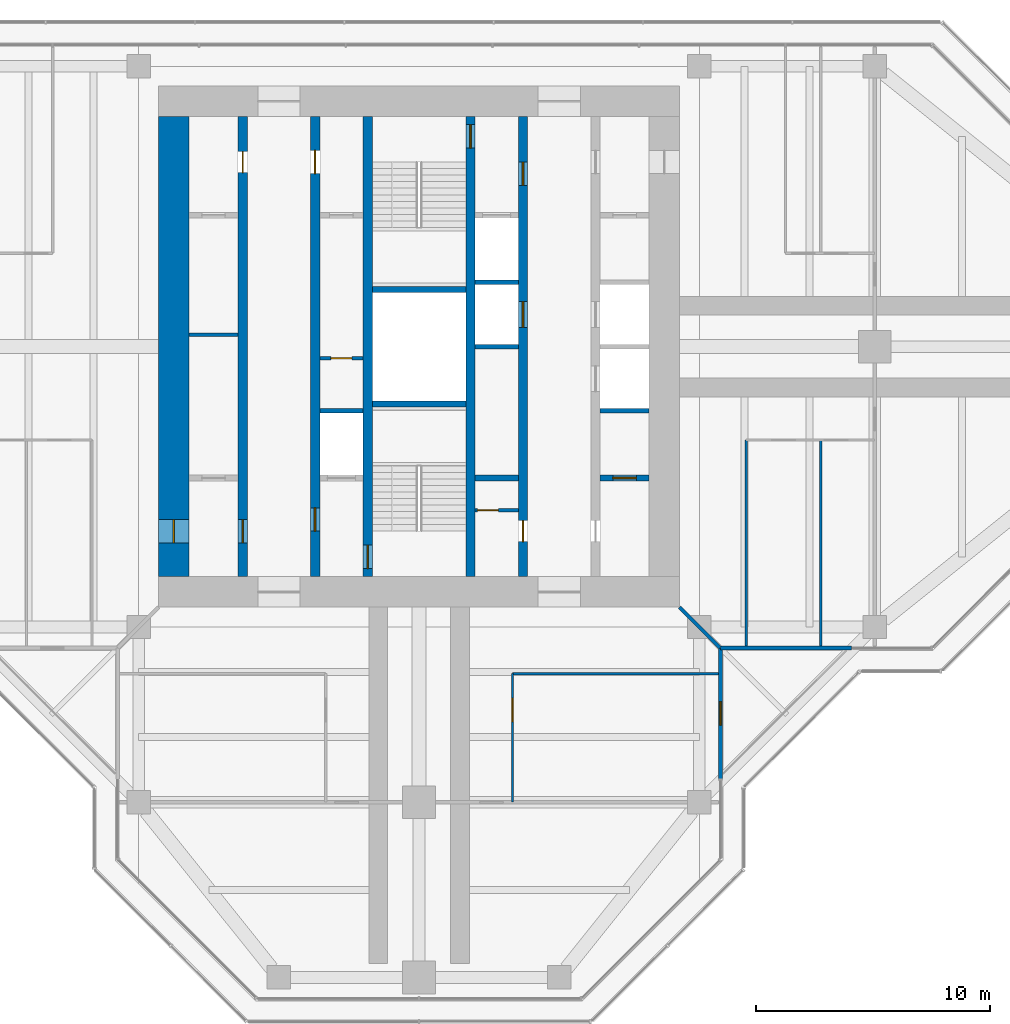
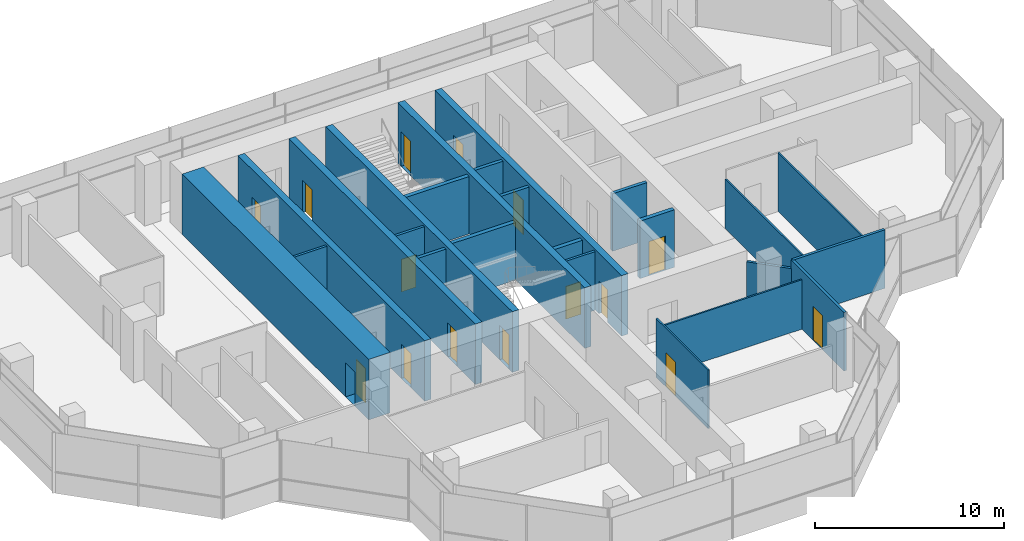
# One storey, part 12 of 16: 24 walls, 15 doors, 15 openings.
"""IFC4 building model written with IfcOpenShell, lengths in metres."""

from ifc_helpers import new_model, si_unit, direction, frame, frame_2d, origin, place, context, subcontext, project, spatial, rectangle, extrude, material, layer, layer_set, type_object, element, fill, save


model = new_model("IFC4")

# Units and contexts
model_context = context("Model", 3, precision=1e-05, world=origin(), true_north=direction((0.0, 1.0)))
body_context = subcontext(model_context, "Body", "Model", "MODEL_VIEW")
ifc_project = project(units=[si_unit("LENGTHUNIT", "METRE"), si_unit("AREAUNIT", "SQUARE_METRE"), si_unit("VOLUMEUNIT", "CUBIC_METRE"), si_unit("PLANEANGLEUNIT", "RADIAN"), si_unit("MASSUNIT", "GRAM", prefix="KILO")], contexts=[model_context])

# Site, building, storey
site_placement = place(None, origin())
site = spatial("IfcSite", under=ifc_project, at=site_placement, CompositionType="ELEMENT")
building_placement = place(site_placement, origin())
building = spatial("IfcBuilding", under=site, at=building_placement, Name="Mizan Broadcast Tower", CompositionType="ELEMENT")
storey_placement = place(building_placement, frame((0.0, 0.0, 294.60009765625)))
storey = spatial("IfcBuildingStorey", under=building, at=storey_placement, Name="L70", CompositionType="ELEMENT", Elevation=294.60009765625)

# Wall, openings, doors
ifc_material_1 = material(Name="Concrete C70/85", Category="concrete")
ifc_layer_1 = layer(ifc_material_1, 0.39990234375)
ifc_layer_set_1 = layer_set([ifc_layer_1], Name="Concrete C70/85")
wall_type_1 = type_object("IfcWallType", Name="CORE INTERNAL WALL 400", PredefinedType="SHEAR", material=ifc_layer_set_1)
wall_1_placement = place(storey_placement, frame((-7.550048828125, -9.85009765625, 0.0), z_axis=(0.0, 0.0, 1.0), x_axis=(0.0, 1.0, 0.0)))
wall_1 = element("IfcWall", 1, at=wall_1_placement, inside=storey, type_object=wall_type_1, Name="Core wall CORE/XW1", PredefinedType="SHEAR", context=body_context, shape_type="SweptSolid", body=[
    extrude(rectangle(XDim=19.7001953125, YDim=0.39990234375, at=frame_2d((9.85009765625, 0.0))), origin(), (0.0, 0.0, 1.0), 3.89990234375),
])
opening_1_placement = place(wall_1_placement, frame((1.449951171875, 0.0, 0.0)))
opening_1 = element("IfcOpeningElement", 2, at=opening_1_placement, cuts=wall_1, Name="Opening D10F", PredefinedType="OPENING", context=body_context, shape_type="SweptSolid", body=[
    extrude(rectangle(XDim=1.0, YDim=2.199951171875, at=frame_2d((0.5, 1.10009765625))), frame((0.0, 0.2099609375, 0.0), z_axis=(0.0, -1.0, 0.0), x_axis=(1.0, 0.0, 0.0)), (0.0, 0.0, 1.0), 0.419921875),
])
opening_2_placement = place(wall_1_placement, frame((17.300048828125, 0.0, 0.0)))
opening_2 = element("IfcOpeningElement", 3, at=opening_2_placement, cuts=wall_1, Name="Opening D09", PredefinedType="OPENING", context=body_context, shape_type="SweptSolid", body=[
    extrude(rectangle(XDim=0.89990234375, YDim=2.10009765625, at=frame_2d((0.449951171875, 1.050048828125))), frame((0.0, 0.2099609375, 0.0), z_axis=(0.0, -1.0, 0.0), x_axis=(1.0, 0.0, 0.0)), (0.0, 0.0, 1.0), 0.419921875),
])
ifc_material_2 = material(Name="Steel door leaf in steel frame", Category="steel")
door_type_1 = type_object("IfcDoorType", Name="FIRE DOOR 1000 FD90", OperationType="SINGLE_SWING_LEFT", PredefinedType="DOOR", material=ifc_material_2)
door_1_placement = place(opening_1_placement, origin())
door_1 = element("IfcDoor", 4, at=door_1_placement, inside=storey, type_object=door_type_1, Name="West core passage door", OperationType="SINGLE_SWING_LEFT", OverallHeight=2.199951171875, OverallWidth=1.0, PredefinedType="DOOR", context=body_context, shape_type="SweptSolid", body=[
    extrude(rectangle(XDim=1.0, YDim=2.199951171875, at=frame_2d((0.5, 1.10009765625))), frame((0.0, 0.02490234375, 0.0), z_axis=(0.0, -1.0, 0.0), x_axis=(1.0, 0.0, 0.0)), (0.0, 0.0, 1.0), 0.050048828125),
])
fill(opening_1, door_1)
ifc_material_3 = material(Name="Timber door leaf in aluminium frame", Category="wood")
door_type_2 = type_object("IfcDoorType", Name="TOILET DOOR 900", OperationType="SINGLE_SWING_LEFT", PredefinedType="DOOR", material=ifc_material_3)
door_2_placement = place(opening_2_placement, origin())
door_2 = element("IfcDoor", 5, at=door_2_placement, inside=storey, type_object=door_type_2, Name="Male WC door", OperationType="SINGLE_SWING_RIGHT", OverallHeight=2.10009765625, OverallWidth=0.89990234375, PredefinedType="DOOR", context=body_context, shape_type="SweptSolid", body=[
    extrude(rectangle(XDim=0.89990234375, YDim=2.10009765625, at=frame_2d((0.449951171875, 1.050048828125))), frame((0.0, 0.02490234375, 0.0), z_axis=(0.0, -1.0, 0.0), x_axis=(1.0, 0.0, 0.0)), (0.0, 0.0, 1.0), 0.050048828125),
])
fill(opening_2, door_2)

wall_2_placement = place(storey_placement, frame((-4.449951171875, -9.85009765625, 0.0), z_axis=(0.0, 0.0, 1.0), x_axis=(0.0, 1.0, 0.0)))
wall_2 = element("IfcWall", 6, at=wall_2_placement, inside=storey, type_object=wall_type_1, Name="Core wall CORE/XWH", PredefinedType="SHEAR", context=body_context, shape_type="SweptSolid", body=[
    extrude(rectangle(XDim=19.7001953125, YDim=0.39990234375, at=frame_2d((9.85009765625, 0.0))), origin(), (0.0, 0.0, 1.0), 3.89990234375),
])
opening_3_placement = place(wall_2_placement, frame((1.949951171875, 0.0, 0.0)))
opening_3 = element("IfcOpeningElement", 7, at=opening_3_placement, cuts=wall_2, Name="Opening D10F", PredefinedType="OPENING", context=body_context, shape_type="SweptSolid", body=[
    extrude(rectangle(XDim=1.0, YDim=2.199951171875, at=frame_2d((0.5, 1.10009765625))), frame((0.0, 0.2099609375, 0.0), z_axis=(0.0, -1.0, 0.0), x_axis=(1.0, 0.0, 0.0)), (0.0, 0.0, 1.0), 0.419921875),
])
opening_4_placement = place(wall_2_placement, frame((17.25, 0.0, 0.0)))
opening_4 = element("IfcOpeningElement", 8, at=opening_4_placement, cuts=wall_2, Name="Opening D10A", PredefinedType="OPENING", context=body_context, shape_type="SweptSolid", body=[
    extrude(rectangle(XDim=1.0, YDim=2.10009765625, at=frame_2d((0.5, 1.050048828125))), frame((0.0, 0.2099609375, 0.0), z_axis=(0.0, -1.0, 0.0), x_axis=(1.0, 0.0, 0.0)), (0.0, 0.0, 1.0), 0.419921875),
])
ifc_material_4 = material(Name="Timber door leaf in aluminium frame", Category="wood")
door_type_3 = type_object("IfcDoorType", Name="ACCESSIBLE WC DOOR 1000", OperationType="SLIDING_TO_LEFT", PredefinedType="DOOR", material=ifc_material_4)
door_3_placement = place(opening_4_placement, origin())
door_3 = element("IfcDoor", 9, at=door_3_placement, inside=storey, type_object=door_type_3, Name="Accessible WC door", OperationType="SLIDING_TO_LEFT", OverallHeight=2.10009765625, OverallWidth=1.0, PredefinedType="DOOR", context=body_context, shape_type="SweptSolid", body=[
    extrude(rectangle(XDim=1.0, YDim=2.10009765625, at=frame_2d((0.5, 1.050048828125))), frame((0.0, 0.02490234375, 0.0), z_axis=(0.0, -1.0, 0.0), x_axis=(1.0, 0.0, 0.0)), (0.0, 0.0, 1.0), 0.050048828125),
])
fill(opening_4, door_3)
door_4_placement = place(opening_3_placement, origin())
door_4 = element("IfcDoor", 10, at=door_4_placement, inside=storey, type_object=door_type_1, Name="Firefighting lobby A door", OperationType="SINGLE_SWING_LEFT", OverallHeight=2.199951171875, OverallWidth=1.0, PredefinedType="DOOR", context=body_context, shape_type="SweptSolid", body=[
    extrude(rectangle(XDim=1.0, YDim=2.199951171875, at=frame_2d((0.5, 1.10009765625))), frame((0.0, 0.02490234375, 0.0), z_axis=(0.0, -1.0, 0.0), x_axis=(1.0, 0.0, 0.0)), (0.0, 0.0, 1.0), 0.050048828125),
])
fill(opening_3, door_4)

wall_3_placement = place(storey_placement, frame((4.449951171875, 9.85009765625, 0.0), z_axis=(0.0, 0.0, 1.0), x_axis=(0.0, -1.0, 0.0)))
wall_3 = element("IfcWall", 11, at=wall_3_placement, inside=storey, type_object=wall_type_1, Name="Core wall CORE/XWHE", PredefinedType="SHEAR", context=body_context, shape_type="SweptSolid", body=[
    extrude(rectangle(XDim=19.7001953125, YDim=0.39990234375, at=frame_2d((9.85009765625, 0.0))), origin(), (0.0, 0.0, 1.0), 3.89990234375),
])
opening_5_placement = place(wall_3_placement, frame((1.949951171875, 0.0, 0.0)))
opening_5 = element("IfcOpeningElement", 12, at=opening_5_placement, cuts=wall_3, Name="Opening D10F", PredefinedType="OPENING", context=body_context, shape_type="SweptSolid", body=[
    extrude(rectangle(XDim=1.0, YDim=2.199951171875, at=frame_2d((0.5, 1.10009765625))), frame((0.0, 0.2099609375, 0.0), z_axis=(0.0, -1.0, 0.0), x_axis=(1.0, 0.0, 0.0)), (0.0, 0.0, 1.0), 0.419921875),
])
opening_6_placement = place(wall_3_placement, frame((17.300048828125, 0.0, 0.0)))
opening_6 = element("IfcOpeningElement", 13, at=opening_6_placement, cuts=wall_3, Name="Opening D09", PredefinedType="OPENING", context=body_context, shape_type="SweptSolid", body=[
    extrude(rectangle(XDim=0.89990234375, YDim=2.10009765625, at=frame_2d((0.449951171875, 1.050048828125))), frame((0.0, 0.2099609375, 0.0), z_axis=(0.0, -1.0, 0.0), x_axis=(1.0, 0.0, 0.0)), (0.0, 0.0, 1.0), 0.419921875),
])
opening_7_placement = place(wall_3_placement, frame((7.925048828125, 0.0, 0.0)))
opening_7 = element("IfcOpeningElement", 14, at=opening_7_placement, cuts=wall_3, Name="Opening LD", PredefinedType="OPENING", context=body_context, shape_type="SweptSolid", body=[
    extrude(rectangle(XDim=1.10009765625, YDim=2.199951171875, at=frame_2d((0.550048828125, 1.10009765625))), frame((0.0, 0.2099609375, 0.0), z_axis=(0.0, -1.0, 0.0), x_axis=(1.0, 0.0, 0.0)), (0.0, 0.0, 1.0), 0.419921875),
])
door_5_placement = place(opening_5_placement, origin())
door_5 = element("IfcDoor", 15, at=door_5_placement, inside=storey, type_object=door_type_1, Name="Firefighting lobby B door", OperationType="SINGLE_SWING_LEFT", OverallHeight=2.199951171875, OverallWidth=1.0, PredefinedType="DOOR", context=body_context, shape_type="SweptSolid", body=[
    extrude(rectangle(XDim=1.0, YDim=2.199951171875, at=frame_2d((0.5, 1.10009765625))), frame((0.0, 0.02490234375, 0.0), z_axis=(0.0, -1.0, 0.0), x_axis=(1.0, 0.0, 0.0)), (0.0, 0.0, 1.0), 0.050048828125),
])
fill(opening_5, door_5)
ifc_material_5 = material(Name="Steel door leaf in steel frame", Category="steel")
door_type_4 = type_object("IfcDoorType", Name="LIFT LANDING DOOR 1100", OperationType="SLIDING_TO_LEFT", PredefinedType="DOOR", material=ifc_material_5)
door_6_placement = place(opening_7_placement, origin())
door_6 = element("IfcDoor", 16, at=door_6_placement, inside=storey, type_object=door_type_4, Name="Landing door LD3", OperationType="SLIDING_TO_LEFT", OverallHeight=2.199951171875, OverallWidth=1.10009765625, PredefinedType="DOOR", context=body_context, shape_type="SweptSolid", body=[
    extrude(rectangle(XDim=1.10009765625, YDim=2.199951171875, at=frame_2d((0.550048828125, 1.10009765625))), frame((0.0, 0.02490234375, 0.0), z_axis=(0.0, -1.0, 0.0), x_axis=(1.0, 0.0, 0.0)), (0.0, 0.0, 1.0), 0.050048828125),
])
fill(opening_7, door_6)
door_7_placement = place(opening_6_placement, origin())
door_7 = element("IfcDoor", 17, at=door_7_placement, inside=storey, type_object=door_type_2, Name="Cleaner's store door", OperationType="SINGLE_SWING_RIGHT", OverallHeight=2.10009765625, OverallWidth=0.89990234375, PredefinedType="DOOR", context=body_context, shape_type="SweptSolid", body=[
    extrude(rectangle(XDim=0.89990234375, YDim=2.10009765625, at=frame_2d((0.449951171875, 1.050048828125))), frame((0.0, 0.02490234375, 0.0), z_axis=(0.0, -1.0, 0.0), x_axis=(1.0, 0.0, 0.0)), (0.0, 0.0, 1.0), 0.050048828125),
])
fill(opening_6, door_7)

# Wall, opening, door
wall_4_placement = place(storey_placement, frame((-2.199951171875, -9.85009765625, 0.0), z_axis=(0.0, 0.0, 1.0), x_axis=(0.0, 1.0, 0.0)))
wall_4 = element("IfcWall", 18, at=wall_4_placement, inside=storey, type_object=wall_type_1, Name="Core wall CORE/XW2", PredefinedType="SHEAR", context=body_context, shape_type="SweptSolid", body=[
    extrude(rectangle(XDim=19.7001953125, YDim=0.39990234375, at=frame_2d((9.85009765625, 0.0))), origin(), (0.0, 0.0, 1.0), 3.89990234375),
])
opening_8_placement = place(wall_4_placement, frame((0.35009765625, 0.0, 0.0)))
opening_8 = element("IfcOpeningElement", 19, at=opening_8_placement, cuts=wall_4, Name="Opening D10S", PredefinedType="OPENING", context=body_context, shape_type="SweptSolid", body=[
    extrude(rectangle(XDim=1.0, YDim=2.199951171875, at=frame_2d((0.5, 1.10009765625))), frame((0.0, 0.2099609375, 0.0), z_axis=(0.0, -1.0, 0.0), x_axis=(1.0, 0.0, 0.0)), (0.0, 0.0, 1.0), 0.419921875),
])
ifc_material_6 = material(Name="Steel door leaf in steel frame", Category="steel")
door_type_5 = type_object("IfcDoorType", Name="STAIR DOOR 1000 FD90S", OperationType="SINGLE_SWING_RIGHT", PredefinedType="DOOR", material=ifc_material_6)
door_8_placement = place(opening_8_placement, origin())
door_8 = element("IfcDoor", 20, at=door_8_placement, inside=storey, type_object=door_type_5, Name="Stair A door", OperationType="SINGLE_SWING_RIGHT", OverallHeight=2.199951171875, OverallWidth=1.0, PredefinedType="DOOR", context=body_context, shape_type="SweptSolid", body=[
    extrude(rectangle(XDim=1.0, YDim=2.199951171875, at=frame_2d((0.5, 1.10009765625))), frame((0.0, 0.02490234375, 0.0), z_axis=(0.0, -1.0, 0.0), x_axis=(1.0, 0.0, 0.0)), (0.0, 0.0, 1.0), 0.050048828125),
])
fill(opening_8, door_8)

wall_5_placement = place(storey_placement, frame((2.199951171875, 9.85009765625, 0.0), z_axis=(0.0, 0.0, 1.0), x_axis=(0.0, -1.0, 0.0)))
wall_5 = element("IfcWall", 21, at=wall_5_placement, inside=storey, type_object=wall_type_1, Name="Core wall CORE/XW2E", PredefinedType="SHEAR", context=body_context, shape_type="SweptSolid", body=[
    extrude(rectangle(XDim=19.7001953125, YDim=0.39990234375, at=frame_2d((9.85009765625, 0.0))), origin(), (0.0, 0.0, 1.0), 3.89990234375),
])
opening_9_placement = place(wall_5_placement, frame((0.35009765625, 0.0, 0.0)))
opening_9 = element("IfcOpeningElement", 22, at=opening_9_placement, cuts=wall_5, Name="Opening D10S", PredefinedType="OPENING", context=body_context, shape_type="SweptSolid", body=[
    extrude(rectangle(XDim=1.0, YDim=2.199951171875, at=frame_2d((0.5, 1.10009765625))), frame((0.0, 0.2099609375, 0.0), z_axis=(0.0, -1.0, 0.0), x_axis=(1.0, 0.0, 0.0)), (0.0, 0.0, 1.0), 0.419921875),
])
door_9_placement = place(opening_9_placement, origin())
door_9 = element("IfcDoor", 23, at=door_9_placement, inside=storey, type_object=door_type_5, Name="Stair B door", OperationType="SINGLE_SWING_RIGHT", OverallHeight=2.199951171875, OverallWidth=1.0, PredefinedType="DOOR", context=body_context, shape_type="SweptSolid", body=[
    extrude(rectangle(XDim=1.0, YDim=2.199951171875, at=frame_2d((0.5, 1.10009765625))), frame((0.0, 0.02490234375, 0.0), z_axis=(0.0, -1.0, 0.0), x_axis=(1.0, 0.0, 0.0)), (0.0, 0.0, 1.0), 0.050048828125),
])
fill(opening_9, door_9)

# Wall
ifc_material_7 = material(Name="Concrete blockwork", Category="masonry")
ifc_layer_2 = layer(ifc_material_7, 0.14990234375)
ifc_layer_set_2 = layer_set([ifc_layer_2], Name="Concrete blockwork")
wall_type_2 = type_object("IfcWallType", Name="CORE PARTITION 150", PredefinedType="SOLIDWALL", material=ifc_layer_set_2)
wall_6_placement = place(storey_placement, frame((-9.85009765625, 0.5, 0.0), z_axis=(0.0, 0.0, 1.0), x_axis=(1.0, 0.0, 0.0)))
element("IfcWall", 24, at=wall_6_placement, inside=storey, type_object=wall_type_2, Name="Core partition CORE/XP1", PredefinedType="SOLIDWALL", context=body_context, shape_type="SweptSolid", body=[
    extrude(rectangle(XDim=2.10009765625, YDim=0.14990234375, at=frame_2d((1.050048828125, 0.0))), origin(), (0.0, 0.0, 1.0), 3.77001953125),
])

# Wall, opening, door
wall_7_placement = place(storey_placement, frame((-4.25, -0.5, 0.0), z_axis=(0.0, 0.0, 1.0), x_axis=(1.0, 0.0, 0.0)))
wall_7 = element("IfcWall", 25, at=wall_7_placement, inside=storey, type_object=wall_type_2, Name="Core partition CORE/XP2", PredefinedType="SOLIDWALL", context=body_context, shape_type="SweptSolid", body=[
    extrude(rectangle(XDim=1.85009765625, YDim=0.14990234375, at=frame_2d((0.925048828125, 0.0))), origin(), (0.0, 0.0, 1.0), 3.77001953125),
])
opening_10_placement = place(wall_7_placement, frame((0.47509765625, 0.0, 0.0)))
opening_10 = element("IfcOpeningElement", 26, at=opening_10_placement, cuts=wall_7, Name="Opening D09F", PredefinedType="OPENING", context=body_context, shape_type="SweptSolid", body=[
    extrude(rectangle(XDim=0.89990234375, YDim=2.10009765625, at=frame_2d((0.449951171875, 1.050048828125))), frame((0.0, 0.0849609375, 0.0), z_axis=(0.0, -1.0, 0.0), x_axis=(1.0, 0.0, 0.0)), (0.0, 0.0, 1.0), 0.169921875),
])
ifc_material_8 = material(Name="Steel door leaf in steel frame", Category="steel")
door_type_6 = type_object("IfcDoorType", Name="CORE ROOM DOOR 900 FD90", OperationType="SINGLE_SWING_LEFT", PredefinedType="DOOR", material=ifc_material_8)
door_10_placement = place(opening_10_placement, origin())
door_10 = element("IfcDoor", 27, at=door_10_placement, inside=storey, type_object=door_type_6, Name="Staff shower room door", OperationType="SINGLE_SWING_RIGHT", OverallHeight=2.10009765625, OverallWidth=0.89990234375, PredefinedType="DOOR", context=body_context, shape_type="SweptSolid", body=[
    extrude(rectangle(XDim=0.89990234375, YDim=2.10009765625, at=frame_2d((0.449951171875, 1.050048828125))), frame((0.0, 0.02490234375, 0.0), z_axis=(0.0, -1.0, 0.0), x_axis=(1.0, 0.0, 0.0)), (0.0, 0.0, 1.0), 0.050048828125),
])
fill(opening_10, door_10)

wall_8_placement = place(storey_placement, frame((2.39990234375, -7.0, 0.0), z_axis=(0.0, 0.0, 1.0), x_axis=(1.0, 0.0, 0.0)))
wall_8 = element("IfcWall", 28, at=wall_8_placement, inside=storey, type_object=wall_type_2, Name="Core partition CORE/XPC", PredefinedType="SOLIDWALL", context=body_context, shape_type="SweptSolid", body=[
    extrude(rectangle(XDim=1.85009765625, YDim=0.14990234375, at=frame_2d((0.925048828125, 0.0))), origin(), (0.0, 0.0, 1.0), 3.77001953125),
])
opening_11_placement = place(wall_8_placement, frame((0.10009765625, 0.0, 0.0)))
opening_11 = element("IfcOpeningElement", 29, at=opening_11_placement, cuts=wall_8, Name="Opening D09F", PredefinedType="OPENING", context=body_context, shape_type="SweptSolid", body=[
    extrude(rectangle(XDim=0.89990234375, YDim=2.10009765625, at=frame_2d((0.449951171875, 1.050048828125))), frame((0.0, 0.0849609375, 0.0), z_axis=(0.0, -1.0, 0.0), x_axis=(1.0, 0.0, 0.0)), (0.0, 0.0, 1.0), 0.169921875),
])
door_11_placement = place(opening_11_placement, origin())
door_11 = element("IfcDoor", 30, at=door_11_placement, inside=storey, type_object=door_type_6, Name="Waste store door", OperationType="SINGLE_SWING_LEFT", OverallHeight=2.10009765625, OverallWidth=0.89990234375, PredefinedType="DOOR", context=body_context, shape_type="SweptSolid", body=[
    extrude(rectangle(XDim=0.89990234375, YDim=2.10009765625, at=frame_2d((0.449951171875, 1.050048828125))), frame((0.0, 0.02490234375, 0.0), z_axis=(0.0, -1.0, 0.0), x_axis=(1.0, 0.0, 0.0)), (0.0, 0.0, 1.0), 0.050048828125),
])
fill(opening_11, door_11)

ifc_material_9 = material(Name="Concrete C70/85", Category="concrete")
ifc_layer_3 = layer(ifc_material_9, 1.300048828125)
ifc_layer_set_3 = layer_set([ifc_layer_3], Name="Concrete C70/85")
wall_type_3 = type_object("IfcWallType", Name="CORE WALL 1300", PredefinedType="SHEAR", material=ifc_layer_set_3)
wall_9_placement = place(storey_placement, frame((-10.5, 9.85009765625, 0.0), z_axis=(0.0, 0.0, 1.0), x_axis=(0.0, -1.0, 0.0)))
wall_9 = element("IfcWall", 31, at=wall_9_placement, inside=storey, type_object=wall_type_3, Name="Core wall W L70", PredefinedType="SHEAR", context=body_context, shape_type="SweptSolid", body=[
    extrude(rectangle(XDim=19.7001953125, YDim=1.300048828125, at=frame_2d((9.85009765625, 0.0))), origin(), (0.0, 0.0, 1.0), 3.89990234375),
])
opening_12_placement = place(wall_9_placement, frame((17.25, 0.0, 0.0)))
opening_12 = element("IfcOpeningElement", 32, at=opening_12_placement, cuts=wall_9, Name="Opening D10F", PredefinedType="OPENING", context=body_context, shape_type="SweptSolid", body=[
    extrude(rectangle(XDim=1.0, YDim=2.199951171875, at=frame_2d((0.5, 1.10009765625))), frame((0.0, 0.659912109375, 0.0), z_axis=(0.0, -1.0, 0.0), x_axis=(1.0, 0.0, 0.0)), (0.0, 0.0, 1.0), 1.320068359375),
])
door_12_placement = place(opening_12_placement, origin())
door_12 = element("IfcDoor", 33, at=door_12_placement, inside=storey, type_object=door_type_1, Name="West core passage arm door", OperationType="SINGLE_SWING_RIGHT", OverallHeight=2.199951171875, OverallWidth=1.0, PredefinedType="DOOR", context=body_context, shape_type="SweptSolid", body=[
    extrude(rectangle(XDim=1.0, YDim=2.199951171875, at=frame_2d((0.5, 1.10009765625))), frame((0.0, 0.02490234375, 0.0), z_axis=(0.0, -1.0, 0.0), x_axis=(1.0, 0.0, 0.0)), (0.0, 0.0, 1.0), 0.050048828125),
])
fill(opening_12, door_12)

# Wall
ifc_material_10 = material(Name="Aluminium framed glazed screen", Category="aluminium")
ifc_layer_4 = layer(ifc_material_10, 0.159912109375)
ifc_layer_set_4 = layer_set([ifc_layer_4], Name="Aluminium framed glazed screen")
wall_type_4 = type_object("IfcWallType", Name="GLAZED SCREEN WALL 160", PredefinedType="SOLIDWALL", material=ifc_layer_set_4)
wall_10_placement = place(storey_placement, frame((12.89990234375, -12.89990234375, 0.0), z_axis=(0.0, 0.0, 1.0), x_axis=(1.0, 0.0, 0.0)))
element("IfcWall", 34, at=wall_10_placement, inside=storey, type_object=wall_type_4, Name="Winter garden screen L70 E", PredefinedType="SOLIDWALL", context=body_context, shape_type="SweptSolid", body=[
    extrude(rectangle(XDim=5.60009765625, YDim=0.159912109375, at=frame_2d((2.800048828125, 0.0))), origin(), (0.0, 0.0, 1.0), 3.77001953125),
])

# Wall, opening, door
wall_11_placement = place(storey_placement, frame((12.89990234375, -18.5, 0.0), z_axis=(0.0, 0.0, 1.0), x_axis=(0.0, 1.0, 0.0)))
wall_11 = element("IfcWall", 35, at=wall_11_placement, inside=storey, type_object=wall_type_4, Name="Winter garden screen L70 S", PredefinedType="SOLIDWALL", context=body_context, shape_type="SweptSolid", body=[
    extrude(rectangle(XDim=5.60009765625, YDim=0.159912109375, at=frame_2d((2.800048828125, 0.0))), origin(), (0.0, 0.0, 1.0), 3.77001953125),
])
opening_13_placement = place(wall_11_placement, frame((2.300048828125, 0.0, 0.0)))
opening_13 = element("IfcOpeningElement", 36, at=opening_13_placement, cuts=wall_11, Name="Opening WGD", PredefinedType="OPENING", context=body_context, shape_type="SweptSolid", body=[
    extrude(rectangle(XDim=1.0, YDim=2.199951171875, at=frame_2d((0.5, 1.10009765625))), frame((0.0, 0.08984375, 0.0), z_axis=(0.0, -1.0, 0.0), x_axis=(1.0, 0.0, 0.0)), (0.0, 0.0, 1.0), 0.179931640625),
])
ifc_material_11 = material(Name="Aluminium framed glazed door", Category="aluminium")
door_type_7 = type_object("IfcDoorType", Name="WINTER GARDEN DOOR 1000 GLAZED", OperationType="SINGLE_SWING_LEFT", PredefinedType="DOOR", material=ifc_material_11)
door_13_placement = place(opening_13_placement, origin())
door_13 = element("IfcDoor", 37, at=door_13_placement, inside=storey, type_object=door_type_7, Name="Winter garden door L70 S", OperationType="SINGLE_SWING_RIGHT", OverallHeight=2.199951171875, OverallWidth=1.0, PredefinedType="DOOR", context=body_context, shape_type="SweptSolid", body=[
    extrude(rectangle(XDim=1.0, YDim=2.199951171875, at=frame_2d((0.5, 1.10009765625))), frame((0.0, 0.02490234375, 0.0), z_axis=(0.0, -1.0, 0.0), x_axis=(1.0, 0.0, 0.0)), (0.0, 0.0, 1.0), 0.050048828125),
])
fill(opening_13, door_13)

# Walls
ifc_material_12 = material(Name="Concrete blockwork", Category="masonry")
ifc_layer_5 = layer(ifc_material_12, 0.199951171875)
ifc_layer_set_5 = layer_set([ifc_layer_5], Name="Concrete blockwork")
wall_type_5 = type_object("IfcWallType", Name="LIFT SHAFT WALL 200", PredefinedType="SOLIDWALL", material=ifc_layer_set_5)
wall_12_placement = place(storey_placement, frame((-4.25, -2.75, 0.0), z_axis=(0.0, 0.0, 1.0), x_axis=(1.0, 0.0, 0.0)))
element("IfcWall", 38, at=wall_12_placement, inside=storey, type_object=wall_type_5, Name="Lift shaft wall CORE/SW2-1", PredefinedType="SOLIDWALL", context=body_context, shape_type="SweptSolid", body=[
    extrude(rectangle(XDim=1.85009765625, YDim=0.199951171875, at=frame_2d((0.925048828125, 0.0))), origin(), (0.0, 0.0, 1.0), 3.699951171875),
])
wall_13_placement = place(storey_placement, frame((7.75, -2.75, 0.0), z_axis=(0.0, 0.0, 1.0), x_axis=(1.0, 0.0, 0.0)))
element("IfcWall", 39, at=wall_13_placement, inside=storey, type_object=wall_type_5, Name="Lift shaft wall CORE/SE1-1", PredefinedType="SOLIDWALL", context=body_context, shape_type="SweptSolid", body=[
    extrude(rectangle(XDim=2.10009765625, YDim=0.199951171875, at=frame_2d((1.050048828125, 0.0))), origin(), (0.0, 0.0, 1.0), 3.699951171875),
])
for number, where, z_axis, x_axis, name in (
    (40, (2.39990234375, 0.0, 0.0), (0.0, 0.0, 1.0), (1.0, 0.0, 0.0), "Lift shaft wall CORE/SE2-2"),
    (41, (2.39990234375, 2.75, 0.0), (0.0, 0.0, 1.0), (1.0, 0.0, 0.0), "Lift shaft wall CORE/SE2-3"),
):
    element("IfcWall", number, at=place(storey_placement, frame(where, z_axis=z_axis, x_axis=x_axis)), inside=storey, type_object=wall_type_5, Name=name, PredefinedType="SOLIDWALL", context=body_context, shape_type="SweptSolid", body=[
        extrude(rectangle(XDim=1.85009765625, YDim=0.199951171875, at=frame_2d((0.925048828125, 0.0))), origin(), (0.0, 0.0, 1.0), 3.699951171875),
    ])
ifc_material_13 = material(Name="Concrete blockwork", Category="masonry")
ifc_layer_6 = layer(ifc_material_13, 0.25)
ifc_layer_set_6 = layer_set([ifc_layer_6], Name="Concrete blockwork")
wall_type_6 = type_object("IfcWallType", Name="LOBBY ENCLOSURE WALL 250", PredefinedType="SOLIDWALL", material=ifc_layer_set_6)
wall_14_placement = place(storey_placement, frame((2.39990234375, -5.625, 0.0), z_axis=(0.0, 0.0, 1.0), x_axis=(1.0, 0.0, 0.0)))
element("IfcWall", 42, at=wall_14_placement, inside=storey, type_object=wall_type_6, Name="Lobby enclosure wall CORE/BE2S", PredefinedType="SOLIDWALL", context=body_context, shape_type="SweptSolid", body=[
    extrude(rectangle(XDim=1.85009765625, YDim=0.25, at=frame_2d((0.925048828125, 0.0))), origin(), (0.0, 0.0, 1.0), 3.699951171875),
])

# Wall, opening, door
wall_15_placement = place(storey_placement, frame((7.75, -5.625, 0.0), z_axis=(0.0, 0.0, 1.0), x_axis=(1.0, 0.0, 0.0)))
wall_15 = element("IfcWall", 43, at=wall_15_placement, inside=storey, type_object=wall_type_6, Name="Lobby enclosure wall CORE/BE1S", PredefinedType="SOLIDWALL", context=body_context, shape_type="SweptSolid", body=[
    extrude(rectangle(XDim=2.10009765625, YDim=0.25, at=frame_2d((1.050048828125, 0.0))), origin(), (0.0, 0.0, 1.0), 3.699951171875),
])
opening_14_placement = place(wall_15_placement, frame((0.550048828125, 0.0, 0.0)))
opening_14 = element("IfcOpeningElement", 44, at=opening_14_placement, cuts=wall_15, Name="Opening D10F", PredefinedType="OPENING", context=body_context, shape_type="SweptSolid", body=[
    extrude(rectangle(XDim=1.0, YDim=2.199951171875, at=frame_2d((0.5, 1.10009765625))), frame((0.0, 0.135009765625, 0.0), z_axis=(0.0, -1.0, 0.0), x_axis=(1.0, 0.0, 0.0)), (0.0, 0.0, 1.0), 0.27001953125),
])
door_14_placement = place(opening_14_placement, origin())
door_14 = element("IfcDoor", 45, at=door_14_placement, inside=storey, type_object=door_type_1, Name="Female staff shower room door", OperationType="SINGLE_SWING_LEFT", OverallHeight=2.199951171875, OverallWidth=1.0, PredefinedType="DOOR", context=body_context, shape_type="SweptSolid", body=[
    extrude(rectangle(XDim=1.0, YDim=2.199951171875, at=frame_2d((0.5, 1.10009765625))), frame((0.0, 0.02490234375, 0.0), z_axis=(0.0, -1.0, 0.0), x_axis=(1.0, 0.0, 0.0)), (0.0, 0.0, 1.0), 0.050048828125),
])
fill(opening_14, door_14)

# Walls
for number, where, z_axis, x_axis, name in (
    (46, (-2.0, -2.449951171875, 0.0), (0.0, 0.0, 1.0), (1.0, 0.0, 0.0), "Lobby enclosure wall CORE/STA"),
    (47, (-2.0, 2.449951171875, 0.0), (0.0, 0.0, 1.0), (1.0, 0.0, 0.0), "Lobby enclosure wall CORE/STB"),
):
    element("IfcWall", number, at=place(storey_placement, frame(where, z_axis=z_axis, x_axis=x_axis)), inside=storey, type_object=wall_type_6, Name=name, PredefinedType="SOLIDWALL", context=body_context, shape_type="SweptSolid", body=[
        extrude(rectangle(XDim=4.0, YDim=0.25, at=frame_2d((2.0, 0.0))), origin(), (0.0, 0.0, 1.0), 3.699951171875),
    ])
ifc_material_14 = material(Name="Gypsum board on steel studs", Category="steel")
ifc_layer_7 = layer(ifc_material_14, 0.14990234375)
ifc_layer_set_7 = layer_set([ifc_layer_7], Name="Gypsum board on steel studs")
wall_type_7 = type_object("IfcWallType", Name="PARTITION 150", PredefinedType="PARTITIONING", material=ifc_layer_set_7)
wall_16_placement = place(storey_placement, frame((11.14990234375, -11.14990234375, 0.0), z_axis=(0.0, 0.0, 1.0), x_axis=(0.707106781187, -0.707106781187, 0.0)))
element("IfcWall", 48, at=wall_16_placement, inside=storey, type_object=wall_type_7, Name="Partition PT/DGES", PredefinedType="PARTITIONING", context=body_context, shape_type="SweptSolid", body=[
    extrude(rectangle(XDim=2.460693359375, YDim=0.14990234375, at=frame_2d((1.23046875, 0.0))), origin(), (0.0, 0.0, 1.0), 3.219970703125),
])
ifc_material_15 = material(Name="Glazed aluminium partition on aluminium track", Category="aluminium")
ifc_layer_8 = layer(ifc_material_15, 0.10009765625)
ifc_layer_set_8 = layer_set([ifc_layer_8], Name="Glazed aluminium partition on aluminium track")
wall_type_8 = type_object("IfcWallType", Name="PARTITION GLAZED OFFICE FRONT 100", PredefinedType="PARTITIONING", material=ifc_layer_set_8)
wall_17_placement = place(storey_placement, frame((14.0, -4.0, 0.0), z_axis=(0.0, 0.0, 1.0), x_axis=(0.0, -1.0, 0.0)))
element("IfcWall", 49, at=wall_17_placement, inside=storey, type_object=wall_type_8, Name="Glazed office front PT/EQN1400", PredefinedType="PARTITIONING", context=body_context, shape_type="SweptSolid", body=[
    extrude(rectangle(XDim=8.820068359375, YDim=0.10009765625, at=frame_2d((4.41015625, 0.0))), origin(), (0.0, 0.0, 1.0), 3.179931640625),
])
wall_18_placement = place(storey_placement, frame((17.199951171875, -4.0, 0.0), z_axis=(0.0, 0.0, 1.0), x_axis=(0.0, -1.0, 0.0)))
element("IfcWall", 50, at=wall_18_placement, inside=storey, type_object=wall_type_8, Name="Glazed office front PT/EQN1720", PredefinedType="PARTITIONING", context=body_context, shape_type="SweptSolid", body=[
    extrude(rectangle(XDim=8.820068359375, YDim=0.10009765625, at=frame_2d((4.41015625, 0.0))), origin(), (0.0, 0.0, 1.0), 3.77001953125),
])

# Wall, opening, door
wall_19_placement = place(storey_placement, frame((4.0, -14.0, 0.0), z_axis=(0.0, 0.0, 1.0), x_axis=(0.0, -1.0, 0.0)))
wall_19 = element("IfcWall", 51, at=wall_19_placement, inside=storey, type_object=wall_type_8, Name="Glazed office front PT/SCP0", PredefinedType="PARTITIONING", context=body_context, shape_type="SweptSolid", body=[
    extrude(rectangle(XDim=5.5, YDim=0.10009765625, at=frame_2d((2.75, 0.0))), origin(), (0.0, 0.0, 1.0), 3.77001953125),
])
opening_15_placement = place(wall_19_placement, frame((1.050048828125, 0.0, 0.0)))
opening_15 = element("IfcOpeningElement", 52, at=opening_15_placement, cuts=wall_19, Name="Opening D10O", PredefinedType="OPENING", context=body_context, shape_type="SweptSolid", body=[
    extrude(rectangle(XDim=1.0, YDim=2.199951171875, at=frame_2d((0.5, 1.10009765625))), frame((0.0, 0.06005859375, 0.0), z_axis=(0.0, -1.0, 0.0), x_axis=(1.0, 0.0, 0.0)), (0.0, 0.0, 1.0), 0.1201171875),
])
ifc_material_16 = material(Name="Timber door leaf in aluminium frame", Category="wood")
door_type_8 = type_object("IfcDoorType", Name="OFFICE DOOR 1000 GLAZED", OperationType="SINGLE_SWING_LEFT", PredefinedType="DOOR", material=ifc_material_16)
door_15_placement = place(opening_15_placement, origin())
door_15 = element("IfcDoor", 53, at=door_15_placement, inside=storey, type_object=door_type_8, Name="Board lounge door", OperationType="SINGLE_SWING_LEFT", OverallHeight=2.199951171875, OverallWidth=1.0, PredefinedType="DOOR", context=body_context, shape_type="SweptSolid", body=[
    extrude(rectangle(XDim=1.0, YDim=2.199951171875, at=frame_2d((0.5, 1.10009765625))), frame((0.0, 0.02490234375, 0.0), z_axis=(0.0, -1.0, 0.0), x_axis=(1.0, 0.0, 0.0)), (0.0, 0.0, 1.0), 0.050048828125),
])
fill(opening_15, door_15)

# Wall
wall_20_placement = place(storey_placement, frame((4.0, -14.0, 0.0), z_axis=(0.0, 0.0, 1.0), x_axis=(1.0, 0.0, 0.0)))
element("IfcWall", 54, at=wall_20_placement, inside=storey, type_object=wall_type_8, Name="Glazed office front PT/SQP1400", PredefinedType="PARTITIONING", context=body_context, shape_type="SweptSolid", body=[
    extrude(rectangle(XDim=8.820068359375, YDim=0.10009765625, at=frame_2d((4.41015625, 0.0))), origin(), (0.0, 0.0, 1.0), 3.179931640625),
])

save(model, "model.ifc")
